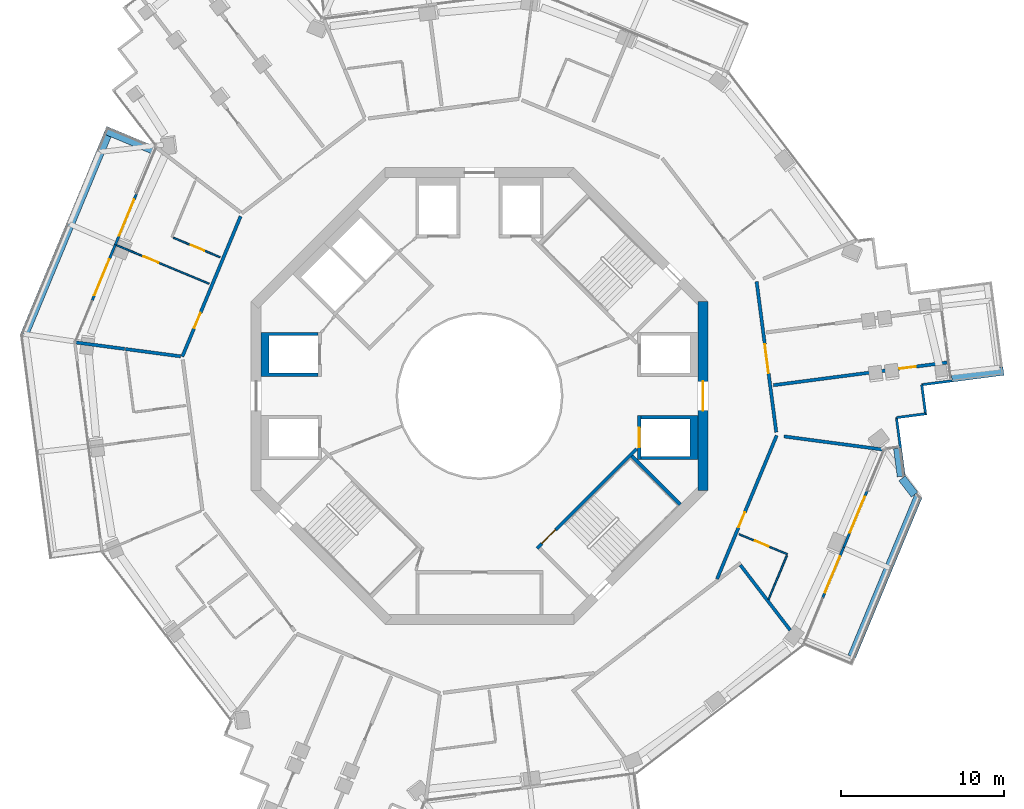
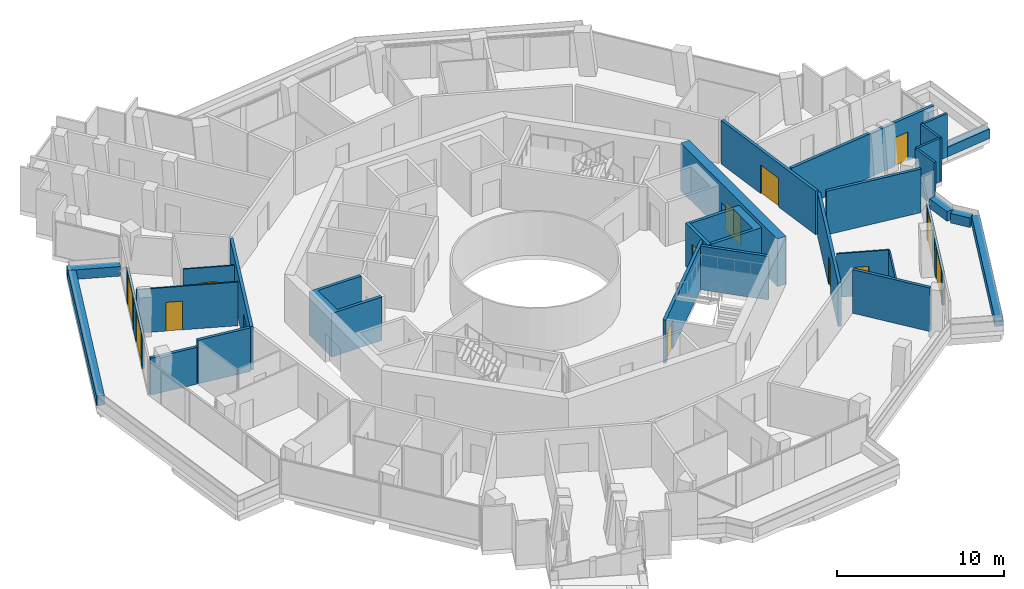
# One storey, part 19 of 25: 32 walls, 14 doors, 14 openings.
"""IFC4 building model written with IfcOpenShell, lengths in metres."""

from ifc_helpers import new_model, si_unit, direction, frame, frame_2d, origin, place, context, subcontext, project, spatial, polyline, rectangle, outline, extrude, material, layer, layer_set, type_object, element, fill, save


model = new_model("IFC4")

# Units and contexts
model_context = context("Model", 3, precision=1e-05, world=origin(), true_north=direction((0.0, 1.0)))
body_context = subcontext(model_context, "Body", "Model", "MODEL_VIEW")
ifc_project = project(units=[si_unit("LENGTHUNIT", "METRE"), si_unit("AREAUNIT", "SQUARE_METRE"), si_unit("VOLUMEUNIT", "CUBIC_METRE"), si_unit("PLANEANGLEUNIT", "RADIAN"), si_unit("MASSUNIT", "GRAM", prefix="KILO")], contexts=[model_context])

# Site, building, storey
site_placement = place(None, origin())
site = spatial("IfcSite", under=ifc_project, at=site_placement, CompositionType="ELEMENT")
building_placement = place(site_placement, origin())
building = spatial("IfcBuilding", under=site, at=building_placement, Name="Verdalira Terraces Hotel", CompositionType="ELEMENT")
storey_placement = place(building_placement, frame((0.0, 0.0, 187.0)))
storey = spatial("IfcBuildingStorey", under=building, at=storey_placement, Name="L45", CompositionType="ELEMENT", Elevation=187.0)

# Walls
ifc_material_1 = material(Name="Concrete C40", Category="concrete")
ifc_layer_1 = layer(ifc_material_1, 0.5)
ifc_layer_set_1 = layer_set([ifc_layer_1], Name="Balcony planter trough with tree")
wall_type_1 = type_object("IfcWallType", Name="Balcony planter trough with tree", PredefinedType="SOLIDWALL", material=ifc_layer_set_1)
wall_1_placement = place(storey_placement, frame((-20.005127, 15.078857, 0.0), z_axis=(0.0, 0.0, 1.0), x_axis=(-0.92348507, 0.383634365, 0.0)))
element("IfcWall", 1, at=wall_1_placement, inside=storey, type_object=wall_type_1, Name="Balcony planter", PredefinedType="SOLIDWALL", context=body_context, shape_type="SweptSolid", body=[
    extrude(rectangle(XDim=3.199219, YDim=0.5, at=frame_2d((1.599609, 0.0))), origin(), (0.0, 0.0, 1.0), 0.699951),
])
wall_2_placement = place(storey_placement, frame((-22.824463, 15.979248, 0.0), z_axis=(0.0, 0.0, 1.0), x_axis=(-0.383658168, -0.923475181, 0.0)))
element("IfcWall", 2, at=wall_2_placement, inside=storey, type_object=wall_type_1, Name="Balcony planter", PredefinedType="SOLIDWALL", context=body_context, shape_type="SweptSolid", body=[
    extrude(rectangle(XDim=13.223389, YDim=0.5, at=frame_2d((6.611816, 0.0))), origin(), (0.0, 0.0, 1.0), 0.699951),
])
wall_3_placement = place(storey_placement, frame((22.824463, -15.979248, 0.0), z_axis=(0.0, 0.0, 1.0), x_axis=(0.383643617, 0.923481226, 0.0)))
element("IfcWall", 3, at=wall_3_placement, inside=storey, type_object=wall_type_1, Name="Balcony planter", PredefinedType="SOLIDWALL", context=body_context, shape_type="SweptSolid", body=[
    extrude(rectangle(XDim=10.652344, YDim=0.5, at=frame_2d((5.326172, 0.0))), origin(), (0.0, 0.0, 1.0), 0.699951),
])
wall_4_placement = place(storey_placement, frame((26.68042, -6.046143, 0.0), z_axis=(0.0, 0.0, 1.0), x_axis=(-0.608017213, 0.793923844, 0.0)))
element("IfcWall", 4, at=wall_4_placement, inside=storey, type_object=wall_type_1, Name="Balcony planter", PredefinedType="SOLIDWALL", context=body_context, shape_type="SweptSolid", body=[
    extrude(rectangle(XDim=1.261963, YDim=0.5, at=frame_2d((0.630859, 0.0))), origin(), (0.0, 0.0, 1.0), 0.699951),
])
wall_5_placement = place(storey_placement, frame((25.86377, -4.924561, 0.0), z_axis=(0.0, 0.0, 1.0), x_axis=(-0.129465796, 0.991583888, 0.0)))
element("IfcWall", 5, at=wall_5_placement, inside=storey, type_object=wall_type_1, Name="Balcony planter", PredefinedType="SOLIDWALL", context=body_context, shape_type="SweptSolid", body=[
    extrude(rectangle(XDim=1.731201, YDim=0.5, at=frame_2d((0.865723, 0.0))), origin(), (0.0, 0.0, 1.0), 0.699951),
])
wall_6_placement = place(storey_placement, frame((28.959473, 1.109131, 0.0), z_axis=(0.0, 0.0, 1.0), x_axis=(0.991578268, 0.129508837, 0.0)))
element("IfcWall", 6, at=wall_6_placement, inside=storey, type_object=wall_type_1, Name="Balcony planter", PredefinedType="SOLIDWALL", context=body_context, shape_type="SweptSolid", body=[
    extrude(rectangle(XDim=3.198975, YDim=0.5, at=frame_2d((1.599609, 0.0))), origin(), (0.0, 0.0, 1.0), 0.699951),
])

# Wall, opening, door
ifc_material_2 = material(Name="Moisture-resistant gypsum board partition")
ifc_layer_2 = layer(ifc_material_2, 0.10009765625)
ifc_layer_set_2 = layer_set([ifc_layer_2], Name="Bathroom partition 100 mm")
wall_type_2 = type_object("IfcWallType", Name="Bathroom partition 100 mm", PredefinedType="PARTITIONING", material=ifc_layer_set_2)
wall_7_placement = place(storey_placement, frame((-22.263428, 9.249268, 0.0), z_axis=(0.0, 0.0, 1.0), x_axis=(0.923469886, -0.383670913, 0.0)))
wall_7 = element("IfcWall", 7, at=wall_7_placement, inside=storey, type_object=wall_type_2, Name="Bathroom partition", PredefinedType="PARTITIONING", context=body_context, shape_type="SweptSolid", body=[
    extrude(rectangle(XDim=6.150146, YDim=0.100098, at=frame_2d((3.075195, 0.0))), origin(), (0.0, 0.0, 1.0), 3.189941),
])
opening_1_placement = place(wall_7_placement, frame((1.800049, 0.0, 0.0)))
opening_1 = element("IfcOpeningElement", 8, at=opening_1_placement, cuts=wall_7, Name="Opening L45-105", PredefinedType="OPENING", context=body_context, shape_type="SweptSolid", body=[
    extrude(rectangle(XDim=1.0, YDim=2.100098, at=frame_2d((0.5, 1.050049))), frame((0.0, 0.060059, 0.0), z_axis=(0.0, -1.0, 0.0), x_axis=(1.0, 0.0, 0.0)), (0.0, 0.0, 1.0), 0.120117),
])
ifc_material_3 = material(Name="Timber door", Category="wood")
door_type_1 = type_object("IfcDoorType", Name="Suite internal door 1000 x 2100", OperationType="NOTDEFINED", PredefinedType="DOOR", material=ifc_material_3)
door_1_placement = place(opening_1_placement, origin())
door_1 = element("IfcDoor", 9, at=door_1_placement, inside=storey, type_object=door_type_1, Name="Suite internal door 4502", OperationType="SINGLE_SWING_LEFT", OverallHeight=2.10009765625, OverallWidth=1.0, PredefinedType="DOOR", context=body_context, shape_type="SweptSolid", body=[
    extrude(rectangle(XDim=1.0, YDim=2.100098, at=frame_2d((0.5, 1.050049))), frame((0.0, 0.024902, 0.0), z_axis=(0.0, -1.0, 0.0), x_axis=(1.0, 0.0, 0.0)), (0.0, 0.0, 1.0), 0.050049),
])
fill(opening_1, door_1)

wall_8_placement = place(storey_placement, frame((-18.772217, 9.702881, 0.0), z_axis=(0.0, 0.0, 1.0), x_axis=(0.923463234, -0.383686924, 0.0)))
wall_8 = element("IfcWall", 10, at=wall_8_placement, inside=storey, type_object=wall_type_2, Name="Bathroom partition", PredefinedType="PARTITIONING", context=body_context, shape_type="SweptSolid", body=[
    extrude(rectangle(XDim=3.100098, YDim=0.100098, at=frame_2d((1.550049, 0.0))), origin(), (0.0, 0.0, 1.0), 3.189941),
])
opening_2_placement = place(wall_8_placement, frame((1.149902, 0.0, 0.0)))
opening_2 = element("IfcOpeningElement", 11, at=opening_2_placement, cuts=wall_8, Name="Opening L45-106", PredefinedType="OPENING", context=body_context, shape_type="SweptSolid", body=[
    extrude(rectangle(XDim=0.899902, YDim=2.100098, at=frame_2d((0.449951, 1.050049))), frame((0.0, 0.060059, 0.0), z_axis=(0.0, -1.0, 0.0), x_axis=(1.0, 0.0, 0.0)), (0.0, 0.0, 1.0), 0.120117),
])
ifc_material_4 = material(Name="Timber door", Category="wood")
door_type_2 = type_object("IfcDoorType", Name="Bathroom door 900 x 2100", OperationType="NOTDEFINED", PredefinedType="DOOR", material=ifc_material_4)
door_2_placement = place(opening_2_placement, origin())
door_2 = element("IfcDoor", 12, at=door_2_placement, inside=storey, type_object=door_type_2, Name="Bathroom door 4502", OperationType="SINGLE_SWING_LEFT", OverallHeight=2.10009765625, OverallWidth=0.89990234375, PredefinedType="DOOR", context=body_context, shape_type="SweptSolid", body=[
    extrude(rectangle(XDim=0.899902, YDim=2.100098, at=frame_2d((0.449951, 1.050049))), frame((0.0, 0.024902, 0.0), z_axis=(0.0, -1.0, 0.0), x_axis=(1.0, 0.0, 0.0)), (0.0, 0.0, 1.0), 0.050049),
])
fill(opening_2, door_2)

wall_9_placement = place(storey_placement, frame((18.879883, -9.704102, 0.0), z_axis=(0.0, 0.0, 1.0), x_axis=(-0.923491726, 0.383618341, 0.0)))
wall_9 = element("IfcWall", 13, at=wall_9_placement, inside=storey, type_object=wall_type_2, Name="Bathroom partition", PredefinedType="PARTITIONING", context=body_context, shape_type="SweptSolid", body=[
    extrude(rectangle(XDim=3.199951, YDim=0.100098, at=frame_2d((1.600098, 0.0))), origin(), (0.0, 0.0, 1.0), 3.189941),
])
opening_3_placement = place(wall_9_placement, frame((1.25, 0.0, 0.0)))
opening_3 = element("IfcOpeningElement", 14, at=opening_3_placement, cuts=wall_9, Name="Opening L45-121", PredefinedType="OPENING", context=body_context, shape_type="SweptSolid", body=[
    extrude(rectangle(XDim=0.899902, YDim=2.100098, at=frame_2d((0.449951, 1.050049))), frame((0.0, 0.060059, 0.0), z_axis=(0.0, -1.0, 0.0), x_axis=(1.0, 0.0, 0.0)), (0.0, 0.0, 1.0), 0.120117),
])
door_3_placement = place(opening_3_placement, origin())
door_3 = element("IfcDoor", 15, at=door_3_placement, inside=storey, type_object=door_type_2, Name="Bathroom door 4507", OperationType="SINGLE_SWING_LEFT", OverallHeight=2.10009765625, OverallWidth=0.89990234375, PredefinedType="DOOR", context=body_context, shape_type="SweptSolid", body=[
    extrude(rectangle(XDim=0.899902, YDim=2.100098, at=frame_2d((0.449951, 1.050049))), frame((0.0, 0.024902, 0.0), z_axis=(0.0, -1.0, 0.0), x_axis=(1.0, 0.0, 0.0)), (0.0, 0.0, 1.0), 0.050049),
])
fill(opening_3, door_3)

# Walls
wall_10_placement = place(storey_placement, frame((18.841797, -9.796631, 0.0), z_axis=(0.0, 0.0, 1.0), x_axis=(-0.383674534, -0.923468382, 0.0)))
element("IfcWall", 16, at=wall_10_placement, inside=storey, type_object=wall_type_2, Name="Bathroom partition", PredefinedType="PARTITIONING", context=body_context, shape_type="SweptSolid", body=[
    extrude(rectangle(XDim=2.911865, YDim=0.100098, at=frame_2d((1.456055, 0.0))), origin(), (0.0, 0.0, 1.0), 3.189941),
])
ifc_material_5 = material(Name="Concrete C50", Category="concrete")
ifc_layer_3 = layer(ifc_material_5, 0.199951171875)
ifc_layer_set_3 = layer_set([ifc_layer_3], Name="Core RC wall 200 C50")
wall_type_3 = type_object("IfcWallType", Name="Core RC wall 200 C50", PredefinedType="SOLIDWALL", material=ifc_layer_set_3)
wall_11_placement = place(storey_placement, origin())
element("IfcWall", 17, at=wall_11_placement, inside=storey, type_object=wall_type_3, Name="L45 shaft wall E1", PredefinedType="SOLIDWALL", context=body_context, shape_type="SweptSolid", body=[
    extrude(outline(polyline([(13.399902, -3.899902), (9.899902, -3.899902), (9.899902, -3.699951), (12.899902, -3.699951), (12.899902, -1.399902), (9.899902, -1.399902), (9.899902, -1.199951), (13.399902, -1.199951), (13.399902, -3.899902)])), origin(), (0.0, 0.0, 1.0), 3.189941),
])

# Wall, opening, door
wall_12_placement = place(storey_placement, frame((9.800049, -1.199951, 0.0), z_axis=(0.0, 0.0, 1.0), x_axis=(0.0, -1.0, 0.0)))
wall_12 = element("IfcWall", 18, at=wall_12_placement, inside=storey, type_object=wall_type_3, Name="L45 shaft front wall E1", PredefinedType="SOLIDWALL", context=body_context, shape_type="SweptSolid", body=[
    extrude(rectangle(XDim=2.699951, YDim=0.199951, at=frame_2d((1.350098, 0.0))), origin(), (0.0, 0.0, 1.0), 3.189941),
])
opening_4_placement = place(wall_12_placement, frame((0.75, 0.0, 0.0)))
opening_4 = element("IfcOpeningElement", 19, at=opening_4_placement, cuts=wall_12, Name="Opening LD-L45-802", PredefinedType="OPENING", context=body_context, shape_type="SweptSolid", body=[
    extrude(rectangle(XDim=1.199951, YDim=2.100098, at=frame_2d((0.600098, 1.050049))), frame((0.0, 0.109863, 0.0), z_axis=(0.0, -1.0, 0.0), x_axis=(1.0, 0.0, 0.0)), (0.0, 0.0, 1.0), 0.219971),
])
ifc_material_6 = material(Name="Stainless steel", Category="steel")
door_type_3 = type_object("IfcDoorType", Name="Landing door 1200 x 2100", OperationType="NOTDEFINED", PredefinedType="DOOR", material=ifc_material_6)
door_4_placement = place(opening_4_placement, origin())
door_4 = element("IfcDoor", 20, at=door_4_placement, inside=storey, type_object=door_type_3, Name="Lift landing door HR1 L45", OperationType="DOUBLE_DOOR_SLIDING", OverallHeight=2.10009765625, OverallWidth=1.199951171875, PredefinedType="DOOR", context=body_context, shape_type="SweptSolid", body=[
    extrude(rectangle(XDim=1.199951, YDim=2.100098, at=frame_2d((0.600098, 1.050049))), frame((0.0, 0.024902, 0.0), z_axis=(0.0, -1.0, 0.0), x_axis=(1.0, 0.0, 0.0)), (0.0, 0.0, 1.0), 0.050049),
])
fill(opening_4, door_4)

# Wall
wall_13_placement = place(storey_placement, origin())
element("IfcWall", 21, at=wall_13_placement, inside=storey, type_object=wall_type_3, Name="L45 shaft wall W1", PredefinedType="SOLIDWALL", context=body_context, shape_type="SweptSolid", body=[
    extrude(outline(polyline([(-13.399902, 3.899902), (-9.899902, 3.899902), (-9.899902, 3.699951), (-12.899902, 3.699951), (-12.899902, 1.399902), (-9.899902, 1.399902), (-9.899902, 1.199951), (-13.399902, 1.199951), (-13.399902, 3.899902)])), origin(), (0.0, 0.0, 1.0), 3.189941),
])

# Wall, opening, door
wall_14_placement = place(storey_placement, frame((9.629395, -3.23999, 0.0), z_axis=(0.0, 0.0, 1.0), x_axis=(-0.707120946, -0.707092617, 0.0)))
wall_14 = element("IfcWall", 22, at=wall_14_placement, inside=storey, type_object=wall_type_3, Name="L45 stair ST3 front wall", PredefinedType="SOLIDWALL", context=body_context, shape_type="SweptSolid", body=[
    extrude(rectangle(XDim=8.61792, YDim=0.199951, at=frame_2d((4.309082, 0.0))), origin(), (0.0, 0.0, 1.0), 3.189941),
])
opening_5_placement = place(wall_14_placement, frame((7.017822, 0.0, 0.0)))
opening_5 = element("IfcOpeningElement", 23, at=opening_5_placement, cuts=wall_14, Name="Opening L45-812", PredefinedType="OPENING", context=body_context, shape_type="SweptSolid", body=[
    extrude(rectangle(XDim=1.199951, YDim=2.100098, at=frame_2d((0.600098, 1.050049))), frame((0.0, 0.109863, 0.0), z_axis=(0.0, -1.0, 0.0), x_axis=(1.0, 0.0, 0.0)), (0.0, 0.0, 1.0), 0.219971),
])
ifc_material_7 = material(Name="Steel fire door", Category="steel")
door_type_4 = type_object("IfcDoorType", Name="Stair door 1200 x 2100", OperationType="NOTDEFINED", PredefinedType="DOOR", material=ifc_material_7)
door_5_placement = place(opening_5_placement, origin())
door_5 = element("IfcDoor", 24, at=door_5_placement, inside=storey, type_object=door_type_4, Name="Stair door ST3 L45", OperationType="SINGLE_SWING_RIGHT", OverallHeight=2.10009765625, OverallWidth=1.199951171875, PredefinedType="DOOR", context=body_context, shape_type="SweptSolid", body=[
    extrude(rectangle(XDim=1.199951, YDim=2.100098, at=frame_2d((0.600098, 1.050049))), frame((0.0, 0.024902, 0.0), z_axis=(0.0, -1.0, 0.0), x_axis=(1.0, 0.0, 0.0)), (0.0, 0.0, 1.0), 0.050049),
])
fill(opening_5, door_5)

# Wall
wall_15_placement = place(storey_placement, frame((9.33374, -3.677002, 0.0), z_axis=(0.0, 0.0, 1.0), x_axis=(0.707135845, -0.707077716, 0.0)))
element("IfcWall", 25, at=wall_15_placement, inside=storey, type_object=wall_type_3, Name="L45 stair ST3 end wall 2", PredefinedType="SOLIDWALL", context=body_context, shape_type="SweptSolid", body=[
    extrude(rectangle(XDim=4.199951, YDim=0.199951, at=frame_2d((2.100098, 0.0))), origin(), (0.0, 0.0, 1.0), 3.189941),
])

# Wall, opening, door
ifc_material_8 = material(Name="Concrete C60", Category="concrete")
ifc_layer_4 = layer(ifc_material_8, 0.60009765625)
ifc_layer_set_4 = layer_set([ifc_layer_4], Name="Core wall 600 C60")
wall_type_4 = type_object("IfcWallType", Name="Core wall 600 C60", PredefinedType="SHEAR", material=ifc_layer_set_4)
wall_16_placement = place(storey_placement, frame((13.699951, -5.799072, 0.0), z_axis=(0.0, 0.0, 1.0), x_axis=(0.0, 1.0, 0.0)))
wall_16 = element("IfcWall", 26, at=wall_16_placement, inside=storey, type_object=wall_type_4, Name="Core wall CW-L45-1", PredefinedType="SHEAR", context=body_context, shape_type="SweptSolid", body=[
    extrude(rectangle(XDim=11.598145, YDim=0.600098, at=frame_2d((5.799072, 0.0))), origin(), (0.0, 0.0, 1.0), 3.5),
])
opening_6_placement = place(wall_16_placement, frame((4.898926, 0.0, 0.0)))
opening_6 = element("IfcOpeningElement", 27, at=opening_6_placement, cuts=wall_16, Name="Opening L45-813", PredefinedType="OPENING", context=body_context, shape_type="SweptSolid", body=[
    extrude(rectangle(XDim=1.800049, YDim=2.100098, at=frame_2d((0.899902, 1.050049))), frame((0.0, 0.310059, 0.0), z_axis=(0.0, -1.0, 0.0), x_axis=(1.0, 0.0, 0.0)), (0.0, 0.0, 1.0), 0.620117),
])
ifc_material_9 = material(Name="Steel fire door", Category="steel")
door_type_5 = type_object("IfcDoorType", Name="Core entry door pair 1800 x 2100", OperationType="NOTDEFINED", PredefinedType="DOOR", material=ifc_material_9)
door_6_placement = place(opening_6_placement, origin())
door_6 = element("IfcDoor", 28, at=door_6_placement, inside=storey, type_object=door_type_5, Name="Core entry door L45 0", OperationType="DOUBLE_DOOR_SINGLE_SWING", OverallHeight=2.10009765625, OverallWidth=1.800048828125, PredefinedType="DOOR", context=body_context, shape_type="SweptSolid", body=[
    extrude(rectangle(XDim=1.800049, YDim=2.100098, at=frame_2d((0.899902, 1.050049))), frame((0.0, 0.024902, 0.0), z_axis=(0.0, -1.0, 0.0), x_axis=(1.0, 0.0, 0.0)), (0.0, 0.0, 1.0), 0.050049),
])
fill(opening_6, door_6)

# Walls
ifc_material_10 = material(Name="Fire-rated gypsum board wall")
ifc_layer_5 = layer(ifc_material_10, 0.199951171875)
ifc_layer_set_5 = layer_set([ifc_layer_5], Name="Demising wall 200 mm")
wall_type_5 = type_object("IfcWallType", Name="Demising wall 200 mm", PredefinedType="SOLIDWALL", material=ifc_layer_set_5)
wall_17_placement = place(storey_placement, frame((-18.327637, 2.432373, 0.0), z_axis=(0.0, 0.0, 1.0), x_axis=(-0.991308802, 0.131555534, 0.0)))
element("IfcWall", 29, at=wall_17_placement, inside=storey, type_object=wall_type_5, Name="Demising wall", PredefinedType="SOLIDWALL", context=body_context, shape_type="SweptSolid", body=[
    extrude(rectangle(XDim=3.418457, YDim=0.199951, at=frame_2d((1.709229, 0.0))), origin(), (0.0, 0.0, 1.0), 3.189941),
])
wall_18_placement = place(storey_placement, frame((24.74707, -3.284424, 0.0), z_axis=(0.0, 0.0, 1.0), x_axis=(-0.99130527, 0.131582149, 0.0)))
element("IfcWall", 30, at=wall_18_placement, inside=storey, type_object=wall_type_5, Name="Demising wall", PredefinedType="SOLIDWALL", context=body_context, shape_type="SweptSolid", body=[
    extrude(rectangle(XDim=6.13208, YDim=0.199951, at=frame_2d((3.065918, 0.0))), origin(), (0.0, 0.0, 1.0), 3.189941),
])

# Wall, opening, door
wall_19_placement = place(storey_placement, frame((28.683594, 2.055908, 0.0), z_axis=(0.0, 0.0, 1.0), x_axis=(-0.991579756, -0.129497441, 0.0)))
wall_19 = element("IfcWall", 31, at=wall_19_placement, inside=storey, type_object=wall_type_5, Name="Demising wall", PredefinedType="SOLIDWALL", context=body_context, shape_type="SweptSolid", body=[
    extrude(rectangle(XDim=10.75, YDim=0.199951, at=frame_2d((5.375, 0.0))), origin(), (0.0, 0.0, 1.0), 3.189941),
])
opening_7_placement = place(wall_19_placement, frame((1.949951, 0.0, 0.0)))
opening_7 = element("IfcOpeningElement", 32, at=opening_7_placement, cuts=wall_19, Name="Opening L45-123", PredefinedType="OPENING", context=body_context, shape_type="SweptSolid", body=[
    extrude(rectangle(XDim=1.0, YDim=2.100098, at=frame_2d((0.5, 1.050049))), frame((0.0, 0.109863, 0.0), z_axis=(0.0, -1.0, 0.0), x_axis=(1.0, 0.0, 0.0)), (0.0, 0.0, 1.0), 0.219971),
])
ifc_material_11 = material(Name="Timber fire door", Category="wood")
door_type_6 = type_object("IfcDoorType", Name="Public room door 1000 x 2100", OperationType="NOTDEFINED", PredefinedType="DOOR", material=ifc_material_11)
door_7_placement = place(opening_7_placement, origin())
door_7 = element("IfcDoor", 33, at=door_7_placement, inside=storey, type_object=door_type_6, Name="Public room door 4508", OperationType="SINGLE_SWING_LEFT", OverallHeight=2.10009765625, OverallWidth=1.0, PredefinedType="DOOR", context=body_context, shape_type="SweptSolid", body=[
    extrude(rectangle(XDim=1.0, YDim=2.100098, at=frame_2d((0.5, 1.050049))), frame((0.0, 0.024902, 0.0), z_axis=(0.0, -1.0, 0.0), x_axis=(1.0, 0.0, 0.0)), (0.0, 0.0, 1.0), 0.050049),
])
fill(opening_7, door_7)

# Wall
ifc_material_12 = material(Name="Fire-rated gypsum board wall")
ifc_layer_6 = layer(ifc_material_12, 0.199951171875)
ifc_layer_set_6 = layer_set([ifc_layer_6], Name="Demising wall 200 mm to beam soffit")
wall_type_6 = type_object("IfcWallType", Name="Demising wall 200 mm to beam soffit", PredefinedType="SOLIDWALL", material=ifc_layer_set_6)
wall_20_placement = place(storey_placement, frame((-21.761719, 2.888184, 0.0), z_axis=(0.0, 0.0, 1.0), x_axis=(-0.991306316, 0.131574268, 0.0)))
element("IfcWall", 34, at=wall_20_placement, inside=storey, type_object=wall_type_6, Name="Demising wall", PredefinedType="SOLIDWALL", context=body_context, shape_type="SweptSolid", body=[
    extrude(rectangle(XDim=3.011475, YDim=0.199951, at=frame_2d((1.505859, 0.0))), origin(), (0.0, 0.0, 1.0), 2.689941),
])

# Wall, opening, door
ifc_material_13 = material(Name="Fire-rated gypsum board wall")
ifc_layer_7 = layer(ifc_material_13, 0.199951171875)
ifc_layer_set_7 = layer_set([ifc_layer_7], Name="Guest corridor wall 200 mm")
wall_type_7 = type_object("IfcWallType", Name="Guest corridor wall 200 mm", PredefinedType="SOLIDWALL", material=ifc_layer_set_7)
wall_21_placement = place(storey_placement, frame((-18.225098, 2.418701, 0.0), z_axis=(0.0, 0.0, 1.0), x_axis=(0.383660652, 0.923474149, 0.0)))
wall_21 = element("IfcWall", 35, at=wall_21_placement, inside=storey, type_object=wall_type_7, Name="Guest corridor wall", PredefinedType="SOLIDWALL", context=body_context, shape_type="SweptSolid", body=[
    extrude(rectangle(XDim=9.31665, YDim=0.199951, at=frame_2d((4.658203, 0.0))), origin(), (0.0, 0.0, 1.0), 3.189941),
])
opening_8_placement = place(wall_21_placement, frame((1.899902, 0.0, 0.0)))
opening_8 = element("IfcOpeningElement", 36, at=opening_8_placement, cuts=wall_21, Name="Opening L45-104", PredefinedType="OPENING", context=body_context, shape_type="SweptSolid", body=[
    extrude(rectangle(XDim=1.0, YDim=2.100098, at=frame_2d((0.5, 1.050049))), frame((0.0, 0.109863, 0.0), z_axis=(0.0, -1.0, 0.0), x_axis=(1.0, 0.0, 0.0)), (0.0, 0.0, 1.0), 0.219971),
])
ifc_material_14 = material(Name="Timber fire door", Category="wood")
door_type_7 = type_object("IfcDoorType", Name="Guest entry door 1000 x 2100", OperationType="NOTDEFINED", PredefinedType="DOOR", material=ifc_material_14)
door_8_placement = place(opening_8_placement, origin())
door_8 = element("IfcDoor", 37, at=door_8_placement, inside=storey, type_object=door_type_7, Name="Guest entry door 4502", OperationType="SINGLE_SWING_LEFT", OverallHeight=2.10009765625, OverallWidth=1.0, PredefinedType="DOOR", context=body_context, shape_type="SweptSolid", body=[
    extrude(rectangle(XDim=1.0, YDim=2.100098, at=frame_2d((0.5, 1.050049))), frame((0.0, 0.024902, 0.0), z_axis=(0.0, -1.0, 0.0), x_axis=(1.0, 0.0, 0.0)), (0.0, 0.0, 1.0), 0.050049),
])
fill(opening_8, door_8)

wall_22_placement = place(storey_placement, frame((18.224854, -2.418701, 0.0), z_axis=(0.0, 0.0, 1.0), x_axis=(-0.383646299, -0.923480112, 0.0)))
wall_22 = element("IfcWall", 38, at=wall_22_placement, inside=storey, type_object=wall_type_7, Name="Guest corridor wall", PredefinedType="SOLIDWALL", context=body_context, shape_type="SweptSolid", body=[
    extrude(rectangle(XDim=9.536621, YDim=0.199951, at=frame_2d((4.768311, 0.0))), origin(), (0.0, 0.0, 1.0), 3.189941),
])
opening_9_placement = place(wall_22_placement, frame((5.100098, 0.0, 0.0)))
opening_9 = element("IfcOpeningElement", 39, at=opening_9_placement, cuts=wall_22, Name="Opening L45-120", PredefinedType="OPENING", context=body_context, shape_type="SweptSolid", body=[
    extrude(rectangle(XDim=1.0, YDim=2.100098, at=frame_2d((0.5, 1.050049))), frame((0.0, 0.109863, 0.0), z_axis=(0.0, -1.0, 0.0), x_axis=(1.0, 0.0, 0.0)), (0.0, 0.0, 1.0), 0.219971),
])
door_9_placement = place(opening_9_placement, origin())
door_9 = element("IfcDoor", 40, at=door_9_placement, inside=storey, type_object=door_type_7, Name="Guest entry door 4507", OperationType="SINGLE_SWING_LEFT", OverallHeight=2.10009765625, OverallWidth=1.0, PredefinedType="DOOR", context=body_context, shape_type="SweptSolid", body=[
    extrude(rectangle(XDim=1.0, YDim=2.100098, at=frame_2d((0.5, 1.050049))), frame((0.0, 0.024902, 0.0), z_axis=(0.0, -1.0, 0.0), x_axis=(1.0, 0.0, 0.0)), (0.0, 0.0, 1.0), 0.050049),
])
fill(opening_9, door_9)

wall_23_placement = place(storey_placement, frame((16.992676, 7.017822, 0.0), z_axis=(0.0, 0.0, 1.0), x_axis=(0.129502741, -0.991579064, 0.0)))
wall_23 = element("IfcWall", 41, at=wall_23_placement, inside=storey, type_object=wall_type_7, Name="Guest corridor wall", PredefinedType="SOLIDWALL", context=body_context, shape_type="SweptSolid", body=[
    extrude(rectangle(XDim=9.31665, YDim=0.199951, at=frame_2d((4.658203, 0.0))), origin(), (0.0, 0.0, 1.0), 3.189941),
])
opening_10_placement = place(wall_23_placement, frame((3.869385, 0.0, 0.0)))
opening_10 = element("IfcOpeningElement", 42, at=opening_10_placement, cuts=wall_23, Name="Opening L45-122", PredefinedType="OPENING", context=body_context, shape_type="SweptSolid", body=[
    extrude(rectangle(XDim=1.800049, YDim=2.100098, at=frame_2d((0.899902, 1.050049))), frame((0.0, 0.109863, 0.0), z_axis=(0.0, -1.0, 0.0), x_axis=(1.0, 0.0, 0.0)), (0.0, 0.0, 1.0), 0.219971),
])
ifc_material_15 = material(Name="Timber fire door", Category="wood")
door_type_8 = type_object("IfcDoorType", Name="Public room double door 1800 x 2100", OperationType="NOTDEFINED", PredefinedType="DOOR", material=ifc_material_15)
door_10_placement = place(opening_10_placement, origin())
door_10 = element("IfcDoor", 43, at=door_10_placement, inside=storey, type_object=door_type_8, Name="Public room double door 4508", OperationType="DOUBLE_DOOR_SINGLE_SWING", OverallHeight=2.10009765625, OverallWidth=1.800048828125, PredefinedType="DOOR", context=body_context, shape_type="SweptSolid", body=[
    extrude(rectangle(XDim=1.800049, YDim=2.100098, at=frame_2d((0.899902, 1.050049))), frame((0.0, 0.024902, 0.0), z_axis=(0.0, -1.0, 0.0), x_axis=(1.0, 0.0, 0.0)), (0.0, 0.0, 1.0), 0.050049),
])
fill(opening_10, door_10)

# Walls
ifc_material_16 = material(Name="Terracotta cladding", Category="masonry")
ifc_layer_8 = layer(ifc_material_16, 0.199951171875)
ifc_layer_set_8 = layer_set([ifc_layer_8], Name="Loggia back wall 200")
wall_type_8 = type_object("IfcWallType", Name="Loggia back wall 200", PredefinedType="SOLIDWALL", material=ifc_layer_set_8)
wall_24_placement = place(storey_placement, frame((19.050781, -14.35376, 0.0), z_axis=(0.0, 0.0, 1.0), x_axis=(-0.607922959, 0.793996018, 0.0)))
element("IfcWall", 44, at=wall_24_placement, inside=storey, type_object=wall_type_8, Name="Loggia side wall", PredefinedType="SOLIDWALL", context=body_context, shape_type="SweptSolid", body=[
    extrude(rectangle(XDim=5.02002, YDim=0.199951, at=frame_2d((2.51001, 0.0))), origin(), (0.0, 0.0, 1.0), 3.189941),
])
ifc_material_17 = material(Name="Terracotta cladding", Category="masonry")
ifc_layer_9 = layer(ifc_material_17, 0.14990234375)
ifc_layer_set_9 = layer_set([ifc_layer_9], Name="Terracotta clad wall 150")
wall_type_9 = type_object("IfcWallType", Name="Terracotta clad wall 150", PredefinedType="SOLIDWALL", material=ifc_layer_set_9)
wall_25_placement = place(storey_placement, frame((25.812988, -3.184326, 0.0), z_axis=(0.0, 0.0, 1.0), x_axis=(-0.129433819, 0.991588063, 0.0)))
element("IfcWall", 45, at=wall_25_placement, inside=storey, type_object=wall_type_9, Name="Terracotta cladding wall", PredefinedType="SOLIDWALL", context=body_context, shape_type="SweptSolid", body=[
    extrude(rectangle(XDim=1.875, YDim=0.149902, at=frame_2d((0.9375, 0.0))), origin(), (0.0, 0.0, 1.0), 3.189941),
])
wall_26_placement = place(storey_placement, frame((25.570312, -1.325195, 0.0), z_axis=(0.0, 0.0, 1.0), x_axis=(0.991573917, 0.129542146, 0.0)))
element("IfcWall", 46, at=wall_26_placement, inside=storey, type_object=wall_type_9, Name="Terracotta cladding wall", PredefinedType="SOLIDWALL", context=body_context, shape_type="SweptSolid", body=[
    extrude(rectangle(XDim=1.799805, YDim=0.149902, at=frame_2d((0.899902, 0.0))), origin(), (0.0, 0.0, 1.0), 3.189941),
])
wall_27_placement = place(storey_placement, frame((27.364746, -1.166504, 0.0), z_axis=(0.0, 0.0, 1.0), x_axis=(-0.129417109, 0.991590244, 0.0)))
element("IfcWall", 47, at=wall_27_placement, inside=storey, type_object=wall_type_9, Name="Terracotta cladding wall", PredefinedType="SOLIDWALL", context=body_context, shape_type="SweptSolid", body=[
    extrude(rectangle(XDim=1.875244, YDim=0.149902, at=frame_2d((0.9375, 0.0))), origin(), (0.0, 0.0, 1.0), 3.189941),
])
wall_28_placement = place(storey_placement, frame((27.12207, 0.692871, 0.0), z_axis=(0.0, 0.0, 1.0), x_axis=(0.991588063, 0.129433819, 0.0)))
element("IfcWall", 48, at=wall_28_placement, inside=storey, type_object=wall_type_9, Name="Terracotta cladding wall", PredefinedType="SOLIDWALL", context=body_context, shape_type="SweptSolid", body=[
    extrude(rectangle(XDim=1.875, YDim=0.149902, at=frame_2d((0.9375, 0.0))), origin(), (0.0, 0.0, 1.0), 3.189941),
])

# Wall, opening, door
ifc_material_18 = material(Name="Terracotta cladding", Category="masonry")
ifc_layer_10 = layer(ifc_material_18, 0.14990234375)
ifc_layer_set_10 = layer_set([ifc_layer_10], Name="Terracotta door pier 150")
wall_type_10 = type_object("IfcWallType", Name="Terracotta door pier 150", PredefinedType="SOLIDWALL", material=ifc_layer_set_10)
wall_29_placement = place(storey_placement, frame((-21.02832, 12.417725, 0.0), z_axis=(0.0, 0.0, 1.0), x_axis=(-0.38365155, -0.923477931, 0.0)))
wall_29 = element("IfcWall", 49, at=wall_29_placement, inside=storey, type_object=wall_type_10, Name="Terracotta door pier", PredefinedType="SOLIDWALL", context=body_context, shape_type="SweptSolid", body=[
    extrude(rectangle(XDim=3.400146, YDim=0.149902, at=frame_2d((1.700195, 0.0))), origin(), (0.0, 0.0, 1.0), 2.475098),
])
opening_11_placement = place(wall_29_placement, frame((0.399902, 0.0, 0.0)))
opening_11 = element("IfcOpeningElement", 50, at=opening_11_placement, cuts=wall_29, Name="Opening L45-B01", PredefinedType="OPENING", context=body_context, shape_type="SweptSolid", body=[
    extrude(rectangle(XDim=2.399902, YDim=2.399902, at=frame_2d((1.199951, 1.199951))), frame((0.0, 0.084961, 0.0), z_axis=(0.0, -1.0, 0.0), x_axis=(1.0, 0.0, 0.0)), (0.0, 0.0, 1.0), 0.169922),
])
ifc_material_19 = material(Name="Clear glass", Category="glass")
door_type_9 = type_object("IfcDoorType", Name="Balcony sliding door 2400x2400", OperationType="NOTDEFINED", PredefinedType="DOOR", material=ifc_material_19)
door_11_placement = place(opening_11_placement, origin())
door_11 = element("IfcDoor", 51, at=door_11_placement, inside=storey, type_object=door_type_9, Name="Balcony sliding door", OperationType="SLIDING_TO_RIGHT", OverallHeight=2.39990234375, OverallWidth=2.39990234375, PredefinedType="DOOR", context=body_context, shape_type="SweptSolid", body=[
    extrude(rectangle(XDim=2.399902, YDim=2.399902, at=frame_2d((1.199951, 1.199951))), frame((0.0, 0.024902, 0.0), z_axis=(0.0, -1.0, 0.0), x_axis=(1.0, 0.0, 0.0)), (0.0, 0.0, 1.0), 0.050049),
])
fill(opening_11, door_11)

wall_30_placement = place(storey_placement, frame((-22.332764, 9.277832, 0.0), z_axis=(0.0, 0.0, 1.0), x_axis=(-0.38367957, -0.923466289, 0.0)))
wall_30 = element("IfcWall", 52, at=wall_30_placement, inside=storey, type_object=wall_type_10, Name="Terracotta door pier", PredefinedType="SOLIDWALL", context=body_context, shape_type="SweptSolid", body=[
    extrude(rectangle(XDim=3.76123, YDim=0.149902, at=frame_2d((1.880615, 0.0))), origin(), (0.0, 0.0, 1.0), 2.475098),
])
opening_12_placement = place(wall_30_placement, frame((0.961182, 0.0, 0.0)))
opening_12 = element("IfcOpeningElement", 53, at=opening_12_placement, cuts=wall_30, Name="Opening L45-B02", PredefinedType="OPENING", context=body_context, shape_type="SweptSolid", body=[
    extrude(rectangle(XDim=2.399902, YDim=2.399902, at=frame_2d((1.199951, 1.199951))), frame((0.0, 0.084961, 0.0), z_axis=(0.0, -1.0, 0.0), x_axis=(1.0, 0.0, 0.0)), (0.0, 0.0, 1.0), 0.169922),
])
door_12_placement = place(opening_12_placement, origin())
door_12 = element("IfcDoor", 54, at=door_12_placement, inside=storey, type_object=door_type_9, Name="Balcony sliding door", OperationType="SLIDING_TO_LEFT", OverallHeight=2.39990234375, OverallWidth=2.39990234375, PredefinedType="DOOR", context=body_context, shape_type="SweptSolid", body=[
    extrude(rectangle(XDim=2.399902, YDim=2.399902, at=frame_2d((1.199951, 1.199951))), frame((0.0, 0.024902, 0.0), z_axis=(0.0, -1.0, 0.0), x_axis=(1.0, 0.0, 0.0)), (0.0, 0.0, 1.0), 0.050049),
])
fill(opening_12, door_12)

wall_31_placement = place(storey_placement, frame((21.02832, -12.417725, 0.0), z_axis=(0.0, 0.0, 1.0), x_axis=(0.38365155, 0.923477931, 0.0)))
wall_31 = element("IfcWall", 55, at=wall_31_placement, inside=storey, type_object=wall_type_10, Name="Terracotta door pier", PredefinedType="SOLIDWALL", context=body_context, shape_type="SweptSolid", body=[
    extrude(rectangle(XDim=3.400146, YDim=0.149902, at=frame_2d((1.700195, 0.0))), origin(), (0.0, 0.0, 1.0), 2.475098),
])
opening_13_placement = place(wall_31_placement, frame((0.399902, 0.0, 0.0)))
opening_13 = element("IfcOpeningElement", 56, at=opening_13_placement, cuts=wall_31, Name="Opening L45-B08", PredefinedType="OPENING", context=body_context, shape_type="SweptSolid", body=[
    extrude(rectangle(XDim=2.399902, YDim=2.399902, at=frame_2d((1.199951, 1.199951))), frame((0.0, 0.084961, 0.0), z_axis=(0.0, -1.0, 0.0), x_axis=(1.0, 0.0, 0.0)), (0.0, 0.0, 1.0), 0.169922),
])
door_13_placement = place(opening_13_placement, origin())
door_13 = element("IfcDoor", 57, at=door_13_placement, inside=storey, type_object=door_type_9, Name="Balcony sliding door", OperationType="SLIDING_TO_RIGHT", OverallHeight=2.39990234375, OverallWidth=2.39990234375, PredefinedType="DOOR", context=body_context, shape_type="SweptSolid", body=[
    extrude(rectangle(XDim=2.399902, YDim=2.399902, at=frame_2d((1.199951, 1.199951))), frame((0.0, 0.024902, 0.0), z_axis=(0.0, -1.0, 0.0), x_axis=(1.0, 0.0, 0.0)), (0.0, 0.0, 1.0), 0.050049),
])
fill(opening_13, door_13)

wall_32_placement = place(storey_placement, frame((22.332764, -9.277832, 0.0), z_axis=(0.0, 0.0, 1.0), x_axis=(0.38367957, 0.923466289, 0.0)))
wall_32 = element("IfcWall", 58, at=wall_32_placement, inside=storey, type_object=wall_type_10, Name="Terracotta door pier", PredefinedType="SOLIDWALL", context=body_context, shape_type="SweptSolid", body=[
    extrude(rectangle(XDim=3.76123, YDim=0.149902, at=frame_2d((1.880615, 0.0))), origin(), (0.0, 0.0, 1.0), 2.475098),
])
opening_14_placement = place(wall_32_placement, frame((0.961182, 0.0, 0.0)))
opening_14 = element("IfcOpeningElement", 59, at=opening_14_placement, cuts=wall_32, Name="Opening L45-B09", PredefinedType="OPENING", context=body_context, shape_type="SweptSolid", body=[
    extrude(rectangle(XDim=2.399902, YDim=2.399902, at=frame_2d((1.199951, 1.199951))), frame((0.0, 0.084961, 0.0), z_axis=(0.0, -1.0, 0.0), x_axis=(1.0, 0.0, 0.0)), (0.0, 0.0, 1.0), 0.169922),
])
door_14_placement = place(opening_14_placement, origin())
door_14 = element("IfcDoor", 60, at=door_14_placement, inside=storey, type_object=door_type_9, Name="Balcony sliding door", OperationType="SLIDING_TO_LEFT", OverallHeight=2.39990234375, OverallWidth=2.39990234375, PredefinedType="DOOR", context=body_context, shape_type="SweptSolid", body=[
    extrude(rectangle(XDim=2.399902, YDim=2.399902, at=frame_2d((1.199951, 1.199951))), frame((0.0, 0.024902, 0.0), z_axis=(0.0, -1.0, 0.0), x_axis=(1.0, 0.0, 0.0)), (0.0, 0.0, 1.0), 0.050049),
])
fill(opening_14, door_14)

save(model, "model.ifc")
